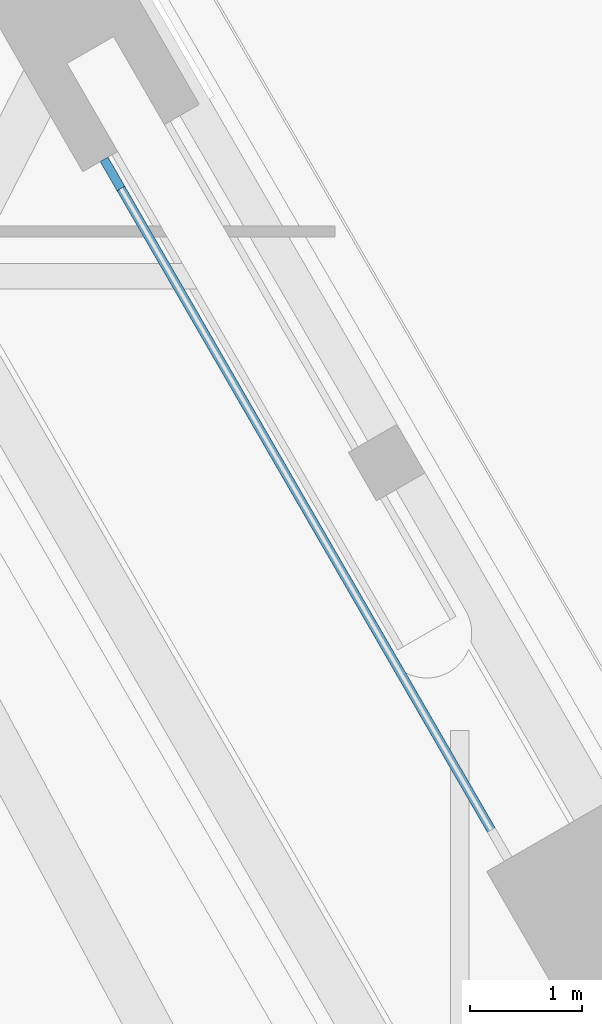
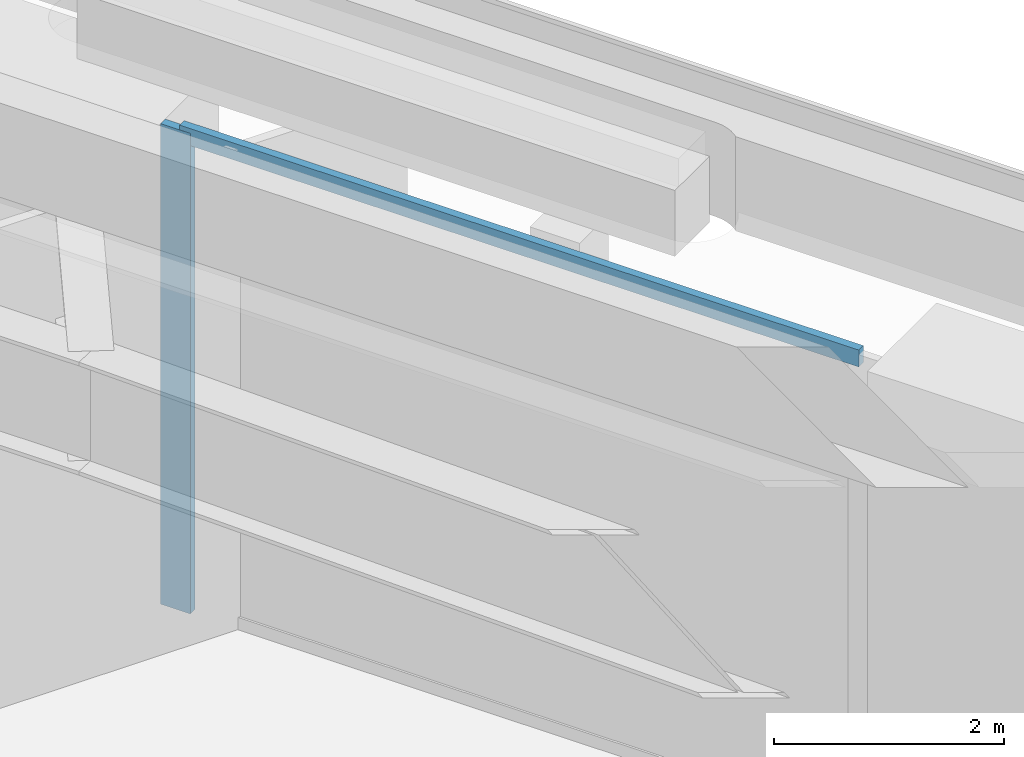
# One storey, part 8 of 34: 2 members, 1 element without a shape of its own.
"""IFC4 building model written with IfcOpenShell, lengths in metres."""

from ifc_helpers import new_model, si_unit, direction, frame, origin, origin_2d, place, context, subcontext, project, spatial, rectangle, extrude, material, material_profile, profile_set, type_object, element, aggregate, save


model = new_model("IFC4")

# Units and contexts
model_context = context("Model", 3, precision=1e-05, world=origin(), true_north=direction((0.0, 1.0)))
body_context = subcontext(model_context, "Body", "Model", "MODEL_VIEW")
ifc_project = project(units=[si_unit("LENGTHUNIT", "METRE"), si_unit("AREAUNIT", "SQUARE_METRE"), si_unit("VOLUMEUNIT", "CUBIC_METRE"), si_unit("PLANEANGLEUNIT", "RADIAN"), si_unit("MASSUNIT", "GRAM", prefix="KILO")], contexts=[model_context])

# Site, building, storey
site_placement = place(None, origin())
site = spatial("IfcSite", under=ifc_project, at=site_placement, CompositionType="ELEMENT")
building_placement = place(site_placement, origin())
building = spatial("IfcBuilding", under=site, at=building_placement, Name="Kolab Exchange Tower", CompositionType="ELEMENT")
storey_placement = place(building_placement, frame((0.0, 0.0, 7.0)))
storey = spatial("IfcBuildingStorey", under=building, at=storey_placement, Name="L01", CompositionType="ELEMENT", Elevation=7.0)

# Curtain wall, members
ifc_material = material(Name="Aluminium EN AW-6063 T6", Category="aluminium")
curtain_wall_type = type_object("IfcCurtainWallType", Name="PODIUM STRUCTURAL GLAZING CURTAIN WALL", PredefinedType="NOTDEFINED", material=ifc_material)
curtain_wall_placement = place(storey_placement, origin())
curtain_wall = element("IfcCurtainWall", 1, at=curtain_wall_placement, inside=storey, type_object=curtain_wall_type, Name="cw/L01/F2-5", PredefinedType="NOTDEFINED")
ifc_material_profile_1 = material_profile(ifc_material, rectangle(XDim=0.080078125, YDim=0.300048828125, at=origin_2d()), Name="RECT 80X300")
ifc_profile_set_1 = profile_set([ifc_material_profile_1], Name="Aluminium EN AW-6063 T6")
member_type_1 = type_object("IfcMemberType", Name="PODIUM STRUCTURAL GLAZING MULLION 80 X 300", PredefinedType="MULLION", material=ifc_profile_set_1)
member_1_placement = place(storey_placement, frame((44.90673828125, 10.51171875, 0.0), z_axis=(0.0, 0.0, 1.0), x_axis=(0.866025392379, 0.500000019755, 0.0)))
member_1 = element("IfcMember", 2, at=member_1_placement, type_object=member_type_1, Name="CW5 mullion 1", PredefinedType="MULLION", context=body_context, shape_type="SweptSolid", body=[
    extrude(rectangle(XDim=0.080078125, YDim=0.300048828125, at=origin_2d()), origin(), (0.0, 0.0, 1.0), 5.10009765625),
])
ifc_material_profile_2 = material_profile(ifc_material, rectangle(XDim=0.080078125, YDim=0.179931640625, at=origin_2d()), Name="RECT 80X180")
ifc_profile_set_2 = profile_set([ifc_material_profile_2], Name="Aluminium EN AW-6063 T6")
member_type_2 = type_object("IfcMemberType", Name="PODIUM STRUCTURAL GLAZING TRANSOM 80 X 180", PredefinedType="USERDEFINED", material=ifc_profile_set_2)
member_2_placement = place(storey_placement, frame((44.9267578125, 10.47705078125, 5.06005859375), z_axis=(0.499993080764, -0.866029398571, 0.0), x_axis=(0.866029398571, 0.499993080764, 0.0)))
member_2 = element("IfcMember", 3, at=member_2_placement, type_object=member_type_2, Name="CW5 transom 1.2", ObjectType="TRANSOM", PredefinedType="USERDEFINED", context=body_context, shape_type="SweptSolid", body=[
    extrude(rectangle(XDim=0.080078125, YDim=0.179931640625, at=origin_2d()), origin(), (0.0, 0.0, 1.0), 6.81982421875),
])
aggregate(curtain_wall, [member_1, member_2])

save(model, "model.ifc")
